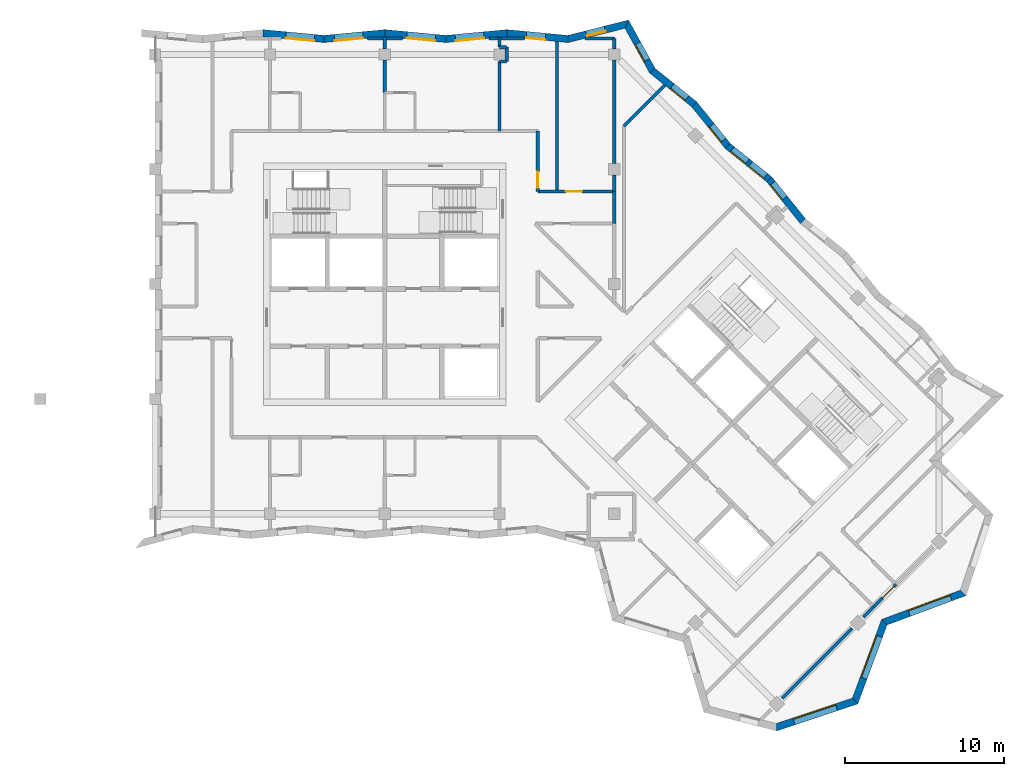
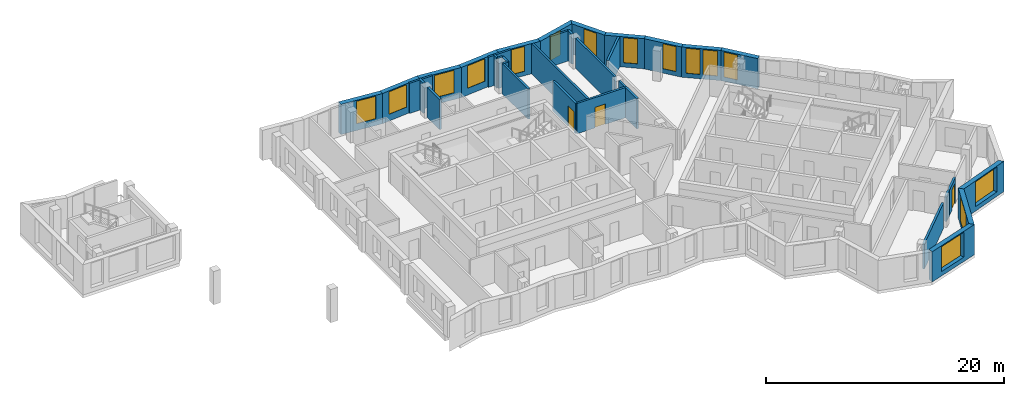
# One storey, part 6 of 12: 35 walls, 15 windows, 3 doors, 18 openings.
"""IFC4 building model written with IfcOpenShell, lengths in metres."""

from ifc_helpers import new_model, si_unit, direction, frame, frame_2d, origin, place, context, subcontext, project, spatial, polyline, rectangle, outline, extrude, material, layer, layer_set, type_object, element, fill, save


model = new_model("IFC4")

# Units and contexts
model_context = context("Model", 3, precision=1e-05, world=origin(), true_north=direction((0.0, 1.0)))
body_context = subcontext(model_context, "Body", "Model", "MODEL_VIEW")
ifc_project = project(units=[si_unit("LENGTHUNIT", "METRE"), si_unit("AREAUNIT", "SQUARE_METRE"), si_unit("VOLUMEUNIT", "CUBIC_METRE"), si_unit("PLANEANGLEUNIT", "RADIAN"), si_unit("MASSUNIT", "GRAM", prefix="KILO")], contexts=[model_context])

# Site, building, storey
site_placement = place(None, origin())
site = spatial("IfcSite", under=ifc_project, at=site_placement, CompositionType="ELEMENT")
building_placement = place(site_placement, origin())
building = spatial("IfcBuilding", under=site, at=building_placement, Name="Windrow Commons", CompositionType="ELEMENT")
storey_placement = place(building_placement, frame((0.0, 0.0, 250.6)))
storey = spatial("IfcBuildingStorey", under=building, at=storey_placement, Name="L68", CompositionType="ELEMENT", Elevation=250.6)

# Wall, opening, window
ifc_material_1 = material(Name="Brick masonry, red clay brick", Category="masonry")
ifc_layer_1 = layer(ifc_material_1, 0.45)
ifc_layer_set_1 = layer_set([ifc_layer_1], Name="Brick facade wall 450")
wall_type_1 = type_object("IfcWallType", Name="Brick facade wall 450", PredefinedType="SOLIDWALL", material=ifc_layer_set_1)
wall_1_placement = place(storey_placement, frame((89.374, 29.808, 0.0), z_axis=(0.0, 0.0, 1.0), x_axis=(0.9486852239, 0.3162219885, 0.0)))
wall_1 = element("IfcWall", 1, at=wall_1_placement, inside=storey, type_object=wall_type_1, Name="Brick facade wall L68 1", PredefinedType="SOLIDWALL", context=body_context, shape_type="SweptSolid", body=[
    extrude(outline(polyline([(-0.0662, -0.225), (5.3003, -0.225), (5.0848, 0.225), (0.0662, 0.225), (-0.0662, -0.225)])), origin(), (0.0, 0.0, 1.0), 3.1),
])
opening_1_placement = place(wall_1_placement, frame((1.1572, 0.0, 0.45)))
opening_1 = element("IfcOpeningElement", 2, at=opening_1_placement, cuts=wall_1, Name="Opening W1V", PredefinedType="OPENING", context=body_context, shape_type="SweptSolid", body=[
    extrude(rectangle(XDim=2.8, YDim=2.55, at=frame_2d((1.4, 1.275))), frame((0.0, 0.235, 0.0), z_axis=(0.0, -1.0, 0.0), x_axis=(1.0, 0.0, 0.0)), (0.0, 0.0, 1.0), 0.47),
])
ifc_material_2 = material(Name="Clear float glass in anodised aluminium frame", Category="aluminium")
window_type_1 = type_object("IfcWindowType", Name="Window W1V bedroom 2800x2550", PartitioningType="SINGLE_PANEL", PredefinedType="WINDOW", material=ifc_material_2)
window_1_placement = place(opening_1_placement, origin())
window_1 = element("IfcWindow", 3, at=window_1_placement, inside=storey, type_object=window_type_1, Name="Window L68 1.1", OverallHeight=2.55, OverallWidth=2.8, PartitioningType="SINGLE_PANEL", PredefinedType="WINDOW", context=body_context, shape_type="SweptSolid", body=[
    extrude(rectangle(XDim=2.8, YDim=2.55, at=frame_2d((1.4, 1.275))), frame((0.0, 0.205, 0.0), z_axis=(0.0, -1.0, 0.0), x_axis=(1.0, 0.0, 0.0)), (0.0, 0.0, 1.0), 0.06),
])
fill(opening_1, window_1)

wall_2_placement = place(storey_placement, frame((94.3001, 31.45, 0.0), z_axis=(0.0, 0.0, 1.0), x_axis=(0.3481927166, 0.9374229739, 0.0)))
wall_2 = element("IfcWall", 4, at=wall_2_placement, inside=storey, type_object=wall_type_1, Name="Brick facade wall L68 2", PredefinedType="SOLIDWALL", context=body_context, shape_type="SweptSolid", body=[
    extrude(outline(polyline([(-0.1078, -0.225), (5.1724, -0.225), (5.3786, 0.225), (0.1078, 0.225), (-0.1078, -0.225)])), origin(), (0.0, 0.0, 1.0), 3.1),
])
opening_2_placement = place(wall_2_placement, frame((1.5336, 0.0, 0.45)))
opening_2 = element("IfcOpeningElement", 5, at=opening_2_placement, cuts=wall_2, Name="Opening W1V", PredefinedType="OPENING", context=body_context, shape_type="SweptSolid", body=[
    extrude(rectangle(XDim=2.8, YDim=2.55, at=frame_2d((1.4, 1.275))), frame((0.0, 0.235, 0.0), z_axis=(0.0, -1.0, 0.0), x_axis=(1.0, 0.0, 0.0)), (0.0, 0.0, 1.0), 0.47),
])
window_2_placement = place(opening_2_placement, origin())
window_2 = element("IfcWindow", 6, at=window_2_placement, inside=storey, type_object=window_type_1, Name="Window L68 2.1", OverallHeight=2.55, OverallWidth=2.8, PartitioningType="SINGLE_PANEL", PredefinedType="WINDOW", context=body_context, shape_type="SweptSolid", body=[
    extrude(rectangle(XDim=2.8, YDim=2.55, at=frame_2d((1.4, 1.275))), frame((0.0, 0.205, 0.0), z_axis=(0.0, -1.0, 0.0), x_axis=(1.0, 0.0, 0.0)), (0.0, 0.0, 1.0), 0.06),
])
fill(opening_2, window_2)

wall_3_placement = place(storey_placement, frame((96.137, 36.3954, 0.0), z_axis=(0.0, 0.0, 1.0), x_axis=(0.937429161, 0.3481760591, 0.0)))
wall_3 = element("IfcWall", 7, at=wall_3_placement, inside=storey, type_object=wall_type_1, Name="Brick facade wall L68 3", PredefinedType="SOLIDWALL", context=body_context, shape_type="SweptSolid", body=[
    extrude(outline(polyline([(0.1031, -0.225), (5.3833, -0.225), (5.1677, 0.225), (-0.1031, 0.225), (0.1031, -0.225)])), origin(), (0.0, 0.0, 1.0), 3.1),
])
opening_3_placement = place(wall_3_placement, frame((1.6509, 0.0, 0.45)))
opening_3 = element("IfcOpeningElement", 8, at=opening_3_placement, cuts=wall_3, Name="Opening W1V", PredefinedType="OPENING", context=body_context, shape_type="SweptSolid", body=[
    extrude(rectangle(XDim=2.8, YDim=2.55, at=frame_2d((1.4, 1.275))), frame((0.0, 0.235, 0.0), z_axis=(0.0, -1.0, 0.0), x_axis=(1.0, 0.0, 0.0)), (0.0, 0.0, 1.0), 0.47),
])
window_3_placement = place(opening_3_placement, origin())
window_3 = element("IfcWindow", 9, at=window_3_placement, inside=storey, type_object=window_type_1, Name="Window L68 3.1", OverallHeight=2.55, OverallWidth=2.8, PartitioningType="SINGLE_PANEL", PredefinedType="WINDOW", context=body_context, shape_type="SweptSolid", body=[
    extrude(rectangle(XDim=2.8, YDim=2.55, at=frame_2d((1.4, 1.275))), frame((0.0, 0.205, 0.0), z_axis=(0.0, -1.0, 0.0), x_axis=(1.0, 0.0, 0.0)), (0.0, 0.0, 1.0), 0.06),
])
fill(opening_3, window_3)

wall_4_placement = place(storey_placement, frame((91.0272, 61.5499, 0.0), z_axis=(0.0, 0.0, 1.0), x_axis=(-0.6267866278, 0.7791909414, 0.0)))
wall_4 = element("IfcWall", 10, at=wall_4_placement, inside=storey, type_object=wall_type_1, Name="Brick facade wall L68 12", PredefinedType="SOLIDWALL", context=body_context, shape_type="SweptSolid", body=[
    extrude(outline(polyline([(0.0244, -0.225), (3.3734, -0.225), (3.3246, 0.225), (-0.0244, 0.225), (0.0244, -0.225)])), origin(), (0.0, 0.0, 1.0), 3.1),
])
opening_4_placement = place(wall_4_placement, frame((1.8425, 0.0, 0.45)))
opening_4 = element("IfcOpeningElement", 11, at=opening_4_placement, cuts=wall_4, Name="Opening W7F", PredefinedType="OPENING", context=body_context, shape_type="SweptSolid", body=[
    extrude(rectangle(XDim=1.2, YDim=2.55, at=frame_2d((0.6, 1.275))), frame((0.0, 0.235, 0.0), z_axis=(0.0, -1.0, 0.0), x_axis=(1.0, 0.0, 0.0)), (0.0, 0.0, 1.0), 0.47),
])
ifc_material_3 = material(Name="Clear float glass in anodised aluminium frame", Category="aluminium")
window_type_2 = type_object("IfcWindowType", Name="Window W7 notch 1200x2550", PartitioningType="SINGLE_PANEL", PredefinedType="WINDOW", material=ifc_material_3)
window_4_placement = place(opening_4_placement, origin())
window_4 = element("IfcWindow", 12, at=window_4_placement, inside=storey, type_object=window_type_2, Name="Window L68 12.1", OverallHeight=2.55, OverallWidth=1.2, PartitioningType="SINGLE_PANEL", PredefinedType="WINDOW", context=body_context, shape_type="SweptSolid", body=[
    extrude(rectangle(XDim=1.2, YDim=2.55, at=frame_2d((0.6, 1.275))), frame((0.0, 0.205, 0.0), z_axis=(0.0, -1.0, 0.0), x_axis=(1.0, 0.0, 0.0)), (0.0, 0.0, 1.0), 0.06),
])
fill(opening_4, window_4)

# Wall, openings, windows
wall_5_placement = place(storey_placement, frame((88.9281, 64.1594, 0.0), z_axis=(0.0, 0.0, 1.0), x_axis=(-0.7792026718, 0.6267720449, 0.0)))
wall_5 = element("IfcWall", 13, at=wall_5_placement, inside=storey, type_object=wall_type_1, Name="Brick facade wall L68 13", PredefinedType="SOLIDWALL", context=body_context, shape_type="SweptSolid", body=[
    extrude(outline(polyline([(-0.0244, -0.225), (3.3246, -0.225), (3.3734, 0.225), (0.0244, 0.225), (-0.0244, -0.225)])), origin(), (0.0, 0.0, 1.0), 3.1),
])
opening_5_placement = place(wall_5_placement, frame((0.3284, 0.0, 0.45)))
opening_5 = element("IfcOpeningElement", 14, at=opening_5_placement, cuts=wall_5, Name="Opening W7F", PredefinedType="OPENING", context=body_context, shape_type="SweptSolid", body=[
    extrude(rectangle(XDim=1.2, YDim=2.55, at=frame_2d((0.6, 1.275))), frame((0.0, 0.235, 0.0), z_axis=(0.0, -1.0, 0.0), x_axis=(1.0, 0.0, 0.0)), (0.0, 0.0, 1.0), 0.47),
])
opening_6_placement = place(wall_5_placement, frame((1.7907, 0.0, 0.45)))
opening_6 = element("IfcOpeningElement", 15, at=opening_6_placement, cuts=wall_5, Name="Opening W7F", PredefinedType="OPENING", context=body_context, shape_type="SweptSolid", body=[
    extrude(rectangle(XDim=1.2, YDim=2.55, at=frame_2d((0.6, 1.275))), frame((0.0, 0.235, 0.0), z_axis=(0.0, -1.0, 0.0), x_axis=(1.0, 0.0, 0.0)), (0.0, 0.0, 1.0), 0.47),
])
window_5_placement = place(opening_5_placement, origin())
window_5 = element("IfcWindow", 16, at=window_5_placement, inside=storey, type_object=window_type_2, Name="Window L68 13.1", OverallHeight=2.55, OverallWidth=1.2, PartitioningType="SINGLE_PANEL", PredefinedType="WINDOW", context=body_context, shape_type="SweptSolid", body=[
    extrude(rectangle(XDim=1.2, YDim=2.55, at=frame_2d((0.6, 1.275))), frame((0.0, 0.205, 0.0), z_axis=(0.0, -1.0, 0.0), x_axis=(1.0, 0.0, 0.0)), (0.0, 0.0, 1.0), 0.06),
])
fill(opening_5, window_5)
window_6_placement = place(opening_6_placement, origin())
window_6 = element("IfcWindow", 17, at=window_6_placement, inside=storey, type_object=window_type_2, Name="Window L68 13.2", OverallHeight=2.55, OverallWidth=1.2, PartitioningType="SINGLE_PANEL", PredefinedType="WINDOW", context=body_context, shape_type="SweptSolid", body=[
    extrude(rectangle(XDim=1.2, YDim=2.55, at=frame_2d((0.6, 1.275))), frame((0.0, 0.205, 0.0), z_axis=(0.0, -1.0, 0.0), x_axis=(1.0, 0.0, 0.0)), (0.0, 0.0, 1.0), 0.06),
])
fill(opening_6, window_6)

# Wall, opening, window
wall_6_placement = place(storey_placement, frame((86.3185, 66.2585, 0.0), z_axis=(0.0, 0.0, 1.0), x_axis=(-0.6267539152, 0.7792172545, 0.0)))
wall_6 = element("IfcWall", 18, at=wall_6_placement, inside=storey, type_object=wall_type_1, Name="Brick facade wall L68 14", PredefinedType="SOLIDWALL", context=body_context, shape_type="SweptSolid", body=[
    extrude(outline(polyline([(0.0244, -0.225), (3.3734, -0.225), (3.3246, 0.225), (-0.0244, 0.225), (0.0244, -0.225)])), origin(), (0.0, 0.0, 1.0), 3.1),
])
opening_7_placement = place(wall_6_placement, frame((0.4523, 0.0, 0.45)))
opening_7 = element("IfcOpeningElement", 19, at=opening_7_placement, cuts=wall_6, Name="Opening W7F", PredefinedType="OPENING", context=body_context, shape_type="SweptSolid", body=[
    extrude(rectangle(XDim=1.2, YDim=2.55, at=frame_2d((0.6, 1.275))), frame((0.0, 0.235, 0.0), z_axis=(0.0, -1.0, 0.0), x_axis=(1.0, 0.0, 0.0)), (0.0, 0.0, 1.0), 0.47),
])
window_7_placement = place(opening_7_placement, origin())
window_7 = element("IfcWindow", 20, at=window_7_placement, inside=storey, type_object=window_type_2, Name="Window L68 14.1", OverallHeight=2.55, OverallWidth=1.2, PartitioningType="SINGLE_PANEL", PredefinedType="WINDOW", context=body_context, shape_type="SweptSolid", body=[
    extrude(rectangle(XDim=1.2, YDim=2.55, at=frame_2d((0.6, 1.275))), frame((0.0, 0.205, 0.0), z_axis=(0.0, -1.0, 0.0), x_axis=(1.0, 0.0, 0.0)), (0.0, 0.0, 1.0), 0.06),
])
fill(opening_7, window_7)

wall_7_placement = place(storey_placement, frame((84.2195, 68.8681, 0.0), z_axis=(0.0, 0.0, 1.0), x_axis=(-0.7792125049, 0.6267598202, 0.0)))
wall_7 = element("IfcWall", 21, at=wall_7_placement, inside=storey, type_object=wall_type_1, Name="Brick facade wall L68 15", PredefinedType="SOLIDWALL", context=body_context, shape_type="SweptSolid", body=[
    extrude(outline(polyline([(-0.0244, -0.225), (3.3246, -0.225), (3.4133, 0.225), (0.0244, 0.225), (-0.0244, -0.225)])), origin(), (0.0, 0.0, 1.0), 3.1),
])
opening_8_placement = place(wall_7_placement, frame((0.6005, 0.0, 0.45)))
opening_8 = element("IfcOpeningElement", 22, at=opening_8_placement, cuts=wall_7, Name="Opening W7F", PredefinedType="OPENING", context=body_context, shape_type="SweptSolid", body=[
    extrude(rectangle(XDim=1.2, YDim=2.55, at=frame_2d((0.6, 1.275))), frame((0.0, 0.235, 0.0), z_axis=(0.0, -1.0, 0.0), x_axis=(1.0, 0.0, 0.0)), (0.0, 0.0, 1.0), 0.47),
])
window_8_placement = place(opening_8_placement, origin())
window_8 = element("IfcWindow", 23, at=window_8_placement, inside=storey, type_object=window_type_2, Name="Window L68 15.1", OverallHeight=2.55, OverallWidth=1.2, PartitioningType="SINGLE_PANEL", PredefinedType="WINDOW", context=body_context, shape_type="SweptSolid", body=[
    extrude(rectangle(XDim=1.2, YDim=2.55, at=frame_2d((0.6, 1.275))), frame((0.0, 0.205, 0.0), z_axis=(0.0, -1.0, 0.0), x_axis=(1.0, 0.0, 0.0)), (0.0, 0.0, 1.0), 0.06),
])
fill(opening_8, window_8)

wall_8_placement = place(storey_placement, frame((81.5944, 70.9796, 0.0), z_axis=(0.0, 0.0, 1.0), x_axis=(-0.4832770015, 0.8754674979, 0.0)))
wall_8 = element("IfcWall", 24, at=wall_8_placement, inside=storey, type_object=wall_type_1, Name="Brick facade wall L68 16", PredefinedType="SOLIDWALL", context=body_context, shape_type="SweptSolid", body=[
    extrude(outline(polyline([(0.0443, -0.225), (3.5097, -0.225), (3.163, 0.225), (-0.0443, 0.225), (0.0443, -0.225)])), origin(), (0.0, 0.0, 1.0), 3.1),
])
opening_9_placement = place(wall_8_placement, frame((0.7566, 0.0, 0.45)))
opening_9 = element("IfcOpeningElement", 25, at=opening_9_placement, cuts=wall_8, Name="Opening W7F", PredefinedType="OPENING", context=body_context, shape_type="SweptSolid", body=[
    extrude(rectangle(XDim=1.2, YDim=2.55, at=frame_2d((0.6, 1.275))), frame((0.0, 0.235, 0.0), z_axis=(0.0, -1.0, 0.0), x_axis=(1.0, 0.0, 0.0)), (0.0, 0.0, 1.0), 0.47),
])
window_9_placement = place(opening_9_placement, origin())
window_9 = element("IfcWindow", 26, at=window_9_placement, inside=storey, type_object=window_type_2, Name="Window L68 16.1", OverallHeight=2.55, OverallWidth=1.2, PartitioningType="SINGLE_PANEL", PredefinedType="WINDOW", context=body_context, shape_type="SweptSolid", body=[
    extrude(rectangle(XDim=1.2, YDim=2.55, at=frame_2d((0.6, 1.275))), frame((0.0, 0.205, 0.0), z_axis=(0.0, -1.0, 0.0), x_axis=(1.0, 0.0, 0.0)), (0.0, 0.0, 1.0), 0.06),
])
fill(opening_9, window_9)

wall_9_placement = place(storey_placement, frame((79.982, 73.9005, 0.0), z_axis=(0.0, 0.0, 1.0), x_axis=(-0.9697607809, -0.2440574274, 0.0)))
wall_9 = element("IfcWall", 27, at=wall_9_placement, inside=storey, type_object=wall_type_1, Name="Brick facade wall L68 17", PredefinedType="SOLIDWALL", context=body_context, shape_type="SweptSolid", body=[
    extrude(outline(polyline([(-0.1734, -0.225), (3.764, -0.225), (3.8415, 0.225), (0.1734, 0.225), (-0.1734, -0.225)])), origin(), (0.0, 0.0, 1.0), 3.1),
])
opening_10_placement = place(wall_9_placement, frame((1.4045, 0.0, 0.45)))
opening_10 = element("IfcOpeningElement", 28, at=opening_10_placement, cuts=wall_9, Name="Opening W7F", PredefinedType="OPENING", context=body_context, shape_type="SweptSolid", body=[
    extrude(rectangle(XDim=1.2, YDim=2.55, at=frame_2d((0.6, 1.275))), frame((0.0, 0.235, 0.0), z_axis=(0.0, -1.0, 0.0), x_axis=(1.0, 0.0, 0.0)), (0.0, 0.0, 1.0), 0.47),
])
window_10_placement = place(opening_10_placement, origin())
window_10 = element("IfcWindow", 29, at=window_10_placement, inside=storey, type_object=window_type_2, Name="Window L68 17.1", OverallHeight=2.55, OverallWidth=1.2, PartitioningType="SINGLE_PANEL", PredefinedType="WINDOW", context=body_context, shape_type="SweptSolid", body=[
    extrude(rectangle(XDim=1.2, YDim=2.55, at=frame_2d((0.6, 1.275))), frame((0.0, 0.135, 0.0), z_axis=(0.0, -1.0, 0.0), x_axis=(1.0, 0.0, 0.0)), (0.0, 0.0, 1.0), 0.06),
])
fill(opening_10, window_10)

wall_10_placement = place(storey_placement, frame((76.2942, 72.9724, 0.0), z_axis=(0.0, 0.0, 1.0), x_axis=(-0.9955612581, 0.0941157869, 0.0)))
wall_10 = element("IfcWall", 30, at=wall_10_placement, inside=storey, type_object=wall_type_1, Name="Brick facade wall L68 18", PredefinedType="SOLIDWALL", context=body_context, shape_type="SweptSolid", body=[
    extrude(outline(polyline([(0.0387, -0.225), (3.874, -0.225), (3.8315, 0.225), (-0.0387, 0.225), (0.0387, -0.225)])), origin(), (0.0, 0.0, 1.0), 3.1),
])
opening_11_placement = place(wall_10_placement, frame((1.4144, 0.0, 0.45)))
opening_11 = element("IfcOpeningElement", 31, at=opening_11_placement, cuts=wall_10, Name="Opening W7F", PredefinedType="OPENING", context=body_context, shape_type="SweptSolid", body=[
    extrude(rectangle(XDim=1.2, YDim=2.55, at=frame_2d((0.6, 1.275))), frame((0.0, 0.235, 0.0), z_axis=(0.0, -1.0, 0.0), x_axis=(1.0, 0.0, 0.0)), (0.0, 0.0, 1.0), 0.47),
])
window_11_placement = place(opening_11_placement, origin())
window_11 = element("IfcWindow", 32, at=window_11_placement, inside=storey, type_object=window_type_2, Name="Window L68 18.1", OverallHeight=2.55, OverallWidth=1.2, PartitioningType="SINGLE_PANEL", PredefinedType="WINDOW", context=body_context, shape_type="SweptSolid", body=[
    extrude(rectangle(XDim=1.2, YDim=2.55, at=frame_2d((0.6, 1.275))), frame((0.0, 0.205, 0.0), z_axis=(0.0, -1.0, 0.0), x_axis=(1.0, 0.0, 0.0)), (0.0, 0.0, 1.0), 0.06),
])
fill(opening_11, window_11)

wall_11_placement = place(storey_placement, frame((72.4586, 73.335, 0.0), z_axis=(0.0, 0.0, 1.0), x_axis=(-0.9955603917, -0.0941249513, 0.0)))
wall_11 = element("IfcWall", 33, at=wall_11_placement, inside=storey, type_object=wall_type_1, Name="Brick facade wall L68 19", PredefinedType="SOLIDWALL", context=body_context, shape_type="SweptSolid", body=[
    extrude(outline(polyline([(-0.0213, -0.225), (3.8141, -0.225), (3.8566, 0.225), (0.0213, 0.225), (-0.0213, -0.225)])), origin(), (0.0, 0.0, 1.0), 3.1),
])
opening_12_placement = place(wall_11_placement, frame((1.4387, 0.0, 0.7)))
opening_12 = element("IfcOpeningElement", 34, at=opening_12_placement, cuts=wall_11, Name="Opening W1C", PredefinedType="OPENING", context=body_context, shape_type="SweptSolid", body=[
    extrude(rectangle(XDim=1.8, YDim=2.3, at=frame_2d((0.9, 1.15))), frame((0.0, 0.235, 0.0), z_axis=(0.0, -1.0, 0.0), x_axis=(1.0, 0.0, 0.0)), (0.0, 0.0, 1.0), 0.47),
])
ifc_material_4 = material(Name="Clear float glass in anodised aluminium frame", Category="aluminium")
window_type_3 = type_object("IfcWindowType", Name="Window W1 bedroom 1800x2300", PartitioningType="SINGLE_PANEL", PredefinedType="WINDOW", material=ifc_material_4)
window_12_placement = place(opening_12_placement, origin())
window_12 = element("IfcWindow", 35, at=window_12_placement, inside=storey, type_object=window_type_3, Name="Window L68 19.1A", OverallHeight=2.3, OverallWidth=1.8, PartitioningType="SINGLE_PANEL", PredefinedType="WINDOW", context=body_context, shape_type="SweptSolid", body=[
    extrude(rectangle(XDim=1.8, YDim=2.3, at=frame_2d((0.9, 1.15))), frame((0.0, 0.205, 0.0), z_axis=(0.0, -1.0, 0.0), x_axis=(1.0, 0.0, 0.0)), (0.0, 0.0, 1.0), 0.06),
])
fill(opening_12, window_12)

wall_12_placement = place(storey_placement, frame((68.6403, 72.974, 0.0), z_axis=(0.0, 0.0, 1.0), x_axis=(-0.9955603917, 0.0941249513, 0.0)))
wall_12 = element("IfcWall", 36, at=wall_12_placement, inside=storey, type_object=wall_type_1, Name="Brick facade wall L68 20", PredefinedType="SOLIDWALL", context=body_context, shape_type="SweptSolid", body=[
    extrude(outline(polyline([(0.0213, -0.225), (3.8566, -0.225), (3.8141, 0.225), (-0.0213, 0.225), (0.0213, -0.225)])), origin(), (0.0, 0.0, 1.0), 3.1),
])
opening_13_placement = place(wall_12_placement, frame((0.6564, 0.0, 0.7)))
opening_13 = element("IfcOpeningElement", 37, at=opening_13_placement, cuts=wall_12, Name="Opening W1C", PredefinedType="OPENING", context=body_context, shape_type="SweptSolid", body=[
    extrude(rectangle(XDim=1.8, YDim=2.3, at=frame_2d((0.9, 1.15))), frame((0.0, 0.235, 0.0), z_axis=(0.0, -1.0, 0.0), x_axis=(1.0, 0.0, 0.0)), (0.0, 0.0, 1.0), 0.47),
])
window_13_placement = place(opening_13_placement, origin())
window_13 = element("IfcWindow", 38, at=window_13_placement, inside=storey, type_object=window_type_3, Name="Window L68 20.1A", OverallHeight=2.3, OverallWidth=1.8, PartitioningType="SINGLE_PANEL", PredefinedType="WINDOW", context=body_context, shape_type="SweptSolid", body=[
    extrude(rectangle(XDim=1.8, YDim=2.3, at=frame_2d((0.9, 1.15))), frame((0.0, 0.205, 0.0), z_axis=(0.0, -1.0, 0.0), x_axis=(1.0, 0.0, 0.0)), (0.0, 0.0, 1.0), 0.06),
])
fill(opening_13, window_13)

wall_13_placement = place(storey_placement, frame((64.822, 73.335, 0.0), z_axis=(0.0, 0.0, 1.0), x_axis=(-0.9955603917, -0.0941249513, 0.0)))
wall_13 = element("IfcWall", 39, at=wall_13_placement, inside=storey, type_object=wall_type_1, Name="Brick facade wall L68 21", PredefinedType="SOLIDWALL", context=body_context, shape_type="SweptSolid", body=[
    extrude(outline(polyline([(-0.0213, -0.225), (3.8141, -0.225), (3.8566, 0.225), (0.0213, 0.225), (-0.0213, -0.225)])), origin(), (0.0, 0.0, 1.0), 3.1),
])
opening_14_placement = place(wall_13_placement, frame((1.3789, 0.0, 0.7)))
opening_14 = element("IfcOpeningElement", 40, at=opening_14_placement, cuts=wall_13, Name="Opening W1C", PredefinedType="OPENING", context=body_context, shape_type="SweptSolid", body=[
    extrude(rectangle(XDim=1.8, YDim=2.3, at=frame_2d((0.9, 1.15))), frame((0.0, 0.235, 0.0), z_axis=(0.0, -1.0, 0.0), x_axis=(1.0, 0.0, 0.0)), (0.0, 0.0, 1.0), 0.47),
])
window_14_placement = place(opening_14_placement, origin())
window_14 = element("IfcWindow", 41, at=window_14_placement, inside=storey, type_object=window_type_3, Name="Window L68 21.1A", OverallHeight=2.3, OverallWidth=1.8, PartitioningType="SINGLE_PANEL", PredefinedType="WINDOW", context=body_context, shape_type="SweptSolid", body=[
    extrude(rectangle(XDim=1.8, YDim=2.3, at=frame_2d((0.9, 1.15))), frame((0.0, 0.205, 0.0), z_axis=(0.0, -1.0, 0.0), x_axis=(1.0, 0.0, 0.0)), (0.0, 0.0, 1.0), 0.06),
])
fill(opening_14, window_14)

wall_14_placement = place(storey_placement, frame((61.0037, 72.974, 0.0), z_axis=(0.0, 0.0, 1.0), x_axis=(-0.9955603917, 0.0941249513, 0.0)))
wall_14 = element("IfcWall", 42, at=wall_14_placement, inside=storey, type_object=wall_type_1, Name="Brick facade wall L68 22", PredefinedType="SOLIDWALL", context=body_context, shape_type="SweptSolid", body=[
    extrude(outline(polyline([(0.0213, -0.225), (3.8566, -0.225), (3.8141, 0.225), (-0.0213, 0.225), (0.0213, -0.225)])), origin(), (0.0, 0.0, 1.0), 3.1),
])
opening_15_placement = place(wall_14_placement, frame((0.6076, 0.0, 0.7)))
opening_15 = element("IfcOpeningElement", 43, at=opening_15_placement, cuts=wall_14, Name="Opening W1C", PredefinedType="OPENING", context=body_context, shape_type="SweptSolid", body=[
    extrude(rectangle(XDim=1.8, YDim=2.3, at=frame_2d((0.9, 1.15))), frame((0.0, 0.235, 0.0), z_axis=(0.0, -1.0, 0.0), x_axis=(1.0, 0.0, 0.0)), (0.0, 0.0, 1.0), 0.47),
])
window_15_placement = place(opening_15_placement, origin())
window_15 = element("IfcWindow", 44, at=window_15_placement, inside=storey, type_object=window_type_3, Name="Window L68 22.1A", OverallHeight=2.3, OverallWidth=1.8, PartitioningType="SINGLE_PANEL", PredefinedType="WINDOW", context=body_context, shape_type="SweptSolid", body=[
    extrude(rectangle(XDim=1.8, YDim=2.3, at=frame_2d((0.9, 1.15))), frame((0.0, 0.205, 0.0), z_axis=(0.0, -1.0, 0.0), x_axis=(1.0, 0.0, 0.0)), (0.0, 0.0, 1.0), 0.06),
])
fill(opening_15, window_15)

# Wall, opening, door
ifc_material_5 = material(Name="Blockwork partition", Category="masonry")
ifc_layer_2 = layer(ifc_material_5, 0.2)
ifc_layer_set_2 = layer_set([ifc_layer_2], Name="IW-CORRIDOR-200")
wall_type_2 = type_object("IfcWallType", Name="IW-CORRIDOR-200", PredefinedType="PARTITIONING", material=ifc_layer_set_2)
wall_15_placement = place(storey_placement, frame((74.402, 63.4, 0.0), z_axis=(0.0, 0.0, 1.0), x_axis=(1.0, 0.0, 0.0)))
wall_15 = element("IfcWall", 45, at=wall_15_placement, inside=storey, type_object=wall_type_2, Name="W-L68-W022", PredefinedType="PARTITIONING", context=body_context, shape_type="SweptSolid", body=[
    extrude(rectangle(XDim=4.798, YDim=0.2, at=frame_2d((2.399, 0.0))), origin(), (0.0, 0.0, 1.0), 3.1),
])
opening_16_placement = place(wall_15_placement, frame((1.7655, 0.0, 0.0)))
opening_16 = element("IfcOpeningElement", 46, at=opening_16_placement, cuts=wall_15, Name="Opening D310F", PredefinedType="OPENING", context=body_context, shape_type="SweptSolid", body=[
    extrude(rectangle(XDim=1.0, YDim=2.1, at=frame_2d((0.5, 1.05))), frame((0.0, 0.11, 0.0), z_axis=(0.0, -1.0, 0.0), x_axis=(1.0, 0.0, 0.0)), (0.0, 0.0, 1.0), 0.22),
])
ifc_material_6 = material(Name="Timber door leaf", Category="wood")
door_type = type_object("IfcDoorType", Name="DT-AMENITY-1000", OperationType="SINGLE_SWING_LEFT", PredefinedType="DOOR", material=ifc_material_6)
door_1_placement = place(opening_16_placement, origin())
door_1 = element("IfcDoor", 47, at=door_1_placement, inside=storey, type_object=door_type, Name="D-L68-D012", OperationType="SINGLE_SWING_LEFT", OverallHeight=2.1, OverallWidth=1.0, PredefinedType="DOOR", context=body_context, shape_type="SweptSolid", body=[
    extrude(rectangle(XDim=1.0, YDim=2.1, at=frame_2d((0.5, 1.05))), frame((0.0, 0.025, 0.0), z_axis=(0.0, -1.0, 0.0), x_axis=(1.0, 0.0, 0.0)), (0.0, 0.0, 1.0), 0.05),
])
fill(opening_16, door_1)

wall_16_placement = place(storey_placement, frame((74.4, 63.402, 0.0), z_axis=(0.0, 0.0, 1.0), x_axis=(0.0, 1.0, 0.0)))
wall_16 = element("IfcWall", 48, at=wall_16_placement, inside=storey, type_object=wall_type_2, Name="W-L68-W034", PredefinedType="PARTITIONING", context=body_context, shape_type="SweptSolid", body=[
    extrude(rectangle(XDim=3.798, YDim=0.2, at=frame_2d((1.899, 0.0))), origin(), (0.0, 0.0, 1.0), 3.1),
])
opening_17_placement = place(wall_16_placement, frame((0.2313, 0.0, 0.0)))
opening_17 = element("IfcOpeningElement", 49, at=opening_17_placement, cuts=wall_16, Name="Opening D310F", PredefinedType="OPENING", context=body_context, shape_type="SweptSolid", body=[
    extrude(rectangle(XDim=1.0, YDim=2.1, at=frame_2d((0.5, 1.05))), frame((0.0, 0.11, 0.0), z_axis=(0.0, -1.0, 0.0), x_axis=(1.0, 0.0, 0.0)), (0.0, 0.0, 1.0), 0.22),
])
door_2_placement = place(opening_17_placement, origin())
door_2 = element("IfcDoor", 50, at=door_2_placement, inside=storey, type_object=door_type, Name="D-L68-D011", OperationType="SINGLE_SWING_RIGHT", OverallHeight=2.1, OverallWidth=1.0, PredefinedType="DOOR", context=body_context, shape_type="SweptSolid", body=[
    extrude(rectangle(XDim=1.0, YDim=2.1, at=frame_2d((0.5, 1.05))), frame((0.0, 0.025, 0.0), z_axis=(0.0, -1.0, 0.0), x_axis=(1.0, 0.0, 0.0)), (0.0, 0.0, 1.0), 0.05),
])
fill(opening_17, door_2)

# Wall
wall_17_placement = place(storey_placement, frame((79.2, 61.4, 0.0), z_axis=(0.0, 0.0, 1.0), x_axis=(0.0, 1.0, 0.0)))
element("IfcWall", 51, at=wall_17_placement, inside=storey, type_object=wall_type_2, Name="W-L68-W070", PredefinedType="PARTITIONING", context=body_context, shape_type="SweptSolid", body=[
    extrude(rectangle(XDim=2.0, YDim=0.2, at=frame_2d((1.0, 0.0))), origin(), (0.0, 0.0, 1.0), 3.1),
])

# Wall, opening, door
wall_18_placement = place(storey_placement, frame((95.463, 37.353, 0.0), z_axis=(0.0, 0.0, 1.0), x_axis=(0.7071067812, 0.7071067812, 0.0)))
wall_18 = element("IfcWall", 52, at=wall_18_placement, inside=storey, type_object=wall_type_2, Name="W-L68-W071", PredefinedType="PARTITIONING", context=body_context, shape_type="SweptSolid", body=[
    extrude(rectangle(XDim=1.9997, YDim=0.2, at=frame_2d((0.9999, 0.0))), origin(), (0.0, 0.0, 1.0), 2.6),
])
opening_18_placement = place(wall_18_placement, frame((0.8023, 0.0, 0.0)))
opening_18 = element("IfcOpeningElement", 53, at=opening_18_placement, cuts=wall_18, Name="Opening D310F", PredefinedType="OPENING", context=body_context, shape_type="SweptSolid", body=[
    extrude(rectangle(XDim=1.0, YDim=2.1, at=frame_2d((0.5, 1.05))), frame((0.0, 0.11, 0.0), z_axis=(0.0, -1.0, 0.0), x_axis=(1.0, 0.0, 0.0)), (0.0, 0.0, 1.0), 0.22),
])
door_3_placement = place(opening_18_placement, origin())
door_3 = element("IfcDoor", 54, at=door_3_placement, inside=storey, type_object=door_type, Name="D-L68-D028", OperationType="SINGLE_SWING_RIGHT", OverallHeight=2.1, OverallWidth=1.0, PredefinedType="DOOR", context=body_context, shape_type="SweptSolid", body=[
    extrude(rectangle(XDim=1.0, YDim=2.1, at=frame_2d((0.5, 1.05))), frame((0.0, 0.025, 0.0), z_axis=(0.0, -1.0, 0.0), x_axis=(1.0, 0.0, 0.0)), (0.0, 0.0, 1.0), 0.05),
])
fill(opening_18, door_3)

# Walls
ifc_material_7 = material(Name="Blockwork partition", Category="masonry")
ifc_layer_3 = layer(ifc_material_7, 0.2)
ifc_layer_set_3 = layer_set([ifc_layer_3], Name="IW-PARTY-200")
wall_type_3 = type_object("IfcWallType", Name="IW-PARTY-200", PredefinedType="PARTITIONING", material=ifc_layer_set_3)
wall_19_placement = place(storey_placement, frame((75.6, 63.4, 0.0), z_axis=(0.0, 0.0, 1.0), x_axis=(0.0, 1.0, 0.0)))
element("IfcWall", 55, at=wall_19_placement, inside=storey, type_object=wall_type_3, Name="W-L68-W007", PredefinedType="PARTITIONING", context=body_context, shape_type="SweptSolid", body=[
    extrude(rectangle(XDim=9.412, YDim=0.2, at=frame_2d((4.706, 0.0))), origin(), (0.0, 0.0, 1.0), 3.1),
])
wall_20_placement = place(storey_placement, frame((79.2, 65.15, 0.0), z_axis=(0.0, 0.0, 1.0), x_axis=(0.0, 1.0, 0.0)))
element("IfcWall", 56, at=wall_20_placement, inside=storey, type_object=wall_type_3, Name="W-L68-W013", PredefinedType="PARTITIONING", context=body_context, shape_type="SweptSolid", body=[
    extrude(rectangle(XDim=6.5, YDim=0.2, at=frame_2d((3.25, 0.0))), origin(), (0.0, 0.0, 1.0), 3.1),
])
wall_21_placement = place(storey_placement, frame((89.731, 31.621, 0.0), z_axis=(0.0, 0.0, 1.0), x_axis=(0.7071067812, 0.7071067812, 0.0)))
element("IfcWall", 57, at=wall_21_placement, inside=storey, type_object=wall_type_3, Name="W-L68-W015", PredefinedType="PARTITIONING", context=body_context, shape_type="SweptSolid", body=[
    extrude(rectangle(XDim=6.2112, YDim=0.2, at=frame_2d((3.1056, 0.0))), origin(), (0.0, 0.0, 1.0), 2.6),
])
wall_22_placement = place(storey_placement, frame((72.0, 67.2, 0.0), z_axis=(0.0, 0.0, 1.0), x_axis=(0.0, 1.0, 0.0)))
element("IfcWall", 58, at=wall_22_placement, inside=storey, type_object=wall_type_3, Name="W-L68-W026", PredefinedType="PARTITIONING", context=body_context, shape_type="SweptSolid", body=[
    extrude(rectangle(XDim=4.346, YDim=0.2, at=frame_2d((2.173, 0.0))), origin(), (0.0, 0.0, 1.0), 3.1),
])
wall_23_placement = place(storey_placement, frame((79.7988, 67.5092, 0.0), z_axis=(0.0, 0.0, 1.0), x_axis=(0.7070929906, 0.7071205715, 0.0)))
element("IfcWall", 59, at=wall_23_placement, inside=storey, type_object=wall_type_3, Name="W-L68-W036", PredefinedType="PARTITIONING", context=body_context, shape_type="SweptSolid", body=[
    extrude(rectangle(XDim=3.6257, YDim=0.2, at=frame_2d((1.8129, 0.0))), origin(), (0.0, 0.0, 1.0), 3.1),
])
for number, where, z_axis, x_axis, name in (
    (60, (63.7191, 73.0, 0.0), (0.0, 0.0, 1.0), (1.0, 0.0, 0.0), "W-L68-W060"),
    (61, (71.3557, 73.0, 0.0), (0.0, 0.0, 1.0), (1.0, 0.0, 0.0), "W-L68-W061"),
):
    element("IfcWall", number, at=place(storey_placement, frame(where, z_axis=z_axis, x_axis=x_axis)), inside=storey, type_object=wall_type_3, Name=name, PredefinedType="PARTITIONING", context=body_context, shape_type="SweptSolid", body=[
        extrude(rectangle(XDim=2.2057, YDim=0.2, at=frame_2d((1.1029, 0.0))), origin(), (0.0, 0.0, 1.0), 3.1),
    ])
wall_24_placement = place(storey_placement, frame((64.8, 69.6, 0.0), z_axis=(0.0, 0.0, 1.0), x_axis=(0.0, 1.0, 0.0)))
element("IfcWall", 62, at=wall_24_placement, inside=storey, type_object=wall_type_3, Name="W-L68-W065", PredefinedType="PARTITIONING", context=body_context, shape_type="SweptSolid", body=[
    extrude(rectangle(XDim=2.05, YDim=0.2, at=frame_2d((1.025, 0.0))), origin(), (0.0, 0.0, 1.0), 3.1),
])
wall_25_placement = place(storey_placement, frame((77.3759, 73.0, 0.0), z_axis=(0.0, 0.0, 1.0), x_axis=(1.0, 0.0, 0.0)))
element("IfcWall", 63, at=wall_25_placement, inside=storey, type_object=wall_type_3, Name="W-L68-W077", PredefinedType="PARTITIONING", context=body_context, shape_type="SweptSolid", body=[
    extrude(rectangle(XDim=1.8241, YDim=0.2, at=frame_2d((0.9121, 0.0))), origin(), (0.0, 0.0, 1.0), 3.1),
])
wall_26_placement = place(storey_placement, frame((79.2, 63.4, 0.0), z_axis=(0.0, 0.0, 1.0), x_axis=(0.0, 1.0, 0.0)))
element("IfcWall", 64, at=wall_26_placement, inside=storey, type_object=wall_type_3, Name="W-L68-W081", PredefinedType="PARTITIONING", context=body_context, shape_type="SweptSolid", body=[
    extrude(rectangle(XDim=1.05, YDim=0.2, at=frame_2d((0.525, 0.0))), origin(), (0.0, 0.0, 1.0), 3.1),
])
wall_27_placement = place(storey_placement, frame((72.45, 71.546, 0.0), z_axis=(0.0, 0.0, 1.0), x_axis=(0.0, 1.0, 0.0)))
element("IfcWall", 65, at=wall_27_placement, inside=storey, type_object=wall_type_3, Name="W-L68-W082", PredefinedType="PARTITIONING", context=body_context, shape_type="SweptSolid", body=[
    extrude(rectangle(XDim=0.908, YDim=0.2, at=frame_2d((0.454, 0.0))), origin(), (0.0, 0.0, 1.0), 3.1),
])
wall_28_placement = place(storey_placement, frame((94.823, 36.713, 0.0), z_axis=(0.0, 0.0, 1.0), x_axis=(0.7071067812, 0.7071067812, 0.0)))
element("IfcWall", 66, at=wall_28_placement, inside=storey, type_object=wall_type_3, Name="W-L68-W083", PredefinedType="PARTITIONING", context=body_context, shape_type="SweptSolid", body=[
    extrude(rectangle(XDim=0.9051, YDim=0.2, at=frame_2d((0.4526, 0.0))), origin(), (0.0, 0.0, 1.0), 2.6),
])
wall_29_placement = place(storey_placement, frame((64.8, 72.35, 0.0), z_axis=(0.0, 0.0, 1.0), x_axis=(0.0, 1.0, 0.0)))
element("IfcWall", 67, at=wall_29_placement, inside=storey, type_object=wall_type_3, Name="W-L68-W086", PredefinedType="PARTITIONING", context=body_context, shape_type="SweptSolid", body=[
    extrude(rectangle(XDim=0.7569, YDim=0.2, at=frame_2d((0.3785, 0.0))), origin(), (0.0, 0.0, 1.0), 3.1),
])
wall_30_placement = place(storey_placement, frame((79.2, 72.35, 0.0), z_axis=(0.0, 0.0, 1.0), x_axis=(0.0, 1.0, 0.0)))
element("IfcWall", 68, at=wall_30_placement, inside=storey, type_object=wall_type_3, Name="W-L68-W091", PredefinedType="PARTITIONING", context=body_context, shape_type="SweptSolid", body=[
    extrude(rectangle(XDim=0.65, YDim=0.2, at=frame_2d((0.325, 0.0))), origin(), (0.0, 0.0, 1.0), 3.1),
])
wall_31_placement = place(storey_placement, frame((72.0, 72.454, 0.0), z_axis=(0.0, 0.0, 1.0), x_axis=(0.0, 1.0, 0.0)))
element("IfcWall", 69, at=wall_31_placement, inside=storey, type_object=wall_type_3, Name="W-L68-W095", PredefinedType="PARTITIONING", context=body_context, shape_type="SweptSolid", body=[
    extrude(rectangle(XDim=0.6116, YDim=0.2, at=frame_2d((0.3058, 0.0))), origin(), (0.0, 0.0, 1.0), 3.1),
])
for number, where, z_axis, x_axis, name in (
    (70, (72.0, 71.55, 0.0), (0.0, 0.0, 1.0), (1.0, 0.0, 0.0), "W-L68-W099"),
    (71, (72.0, 72.45, 0.0), (0.0, 0.0, 1.0), (1.0, 0.0, 0.0), "W-L68-W100"),
):
    element("IfcWall", number, at=place(storey_placement, frame(where, z_axis=z_axis, x_axis=x_axis)), inside=storey, type_object=wall_type_3, Name=name, PredefinedType="PARTITIONING", context=body_context, shape_type="SweptSolid", body=[
        extrude(rectangle(XDim=0.45, YDim=0.2, at=frame_2d((0.225, 0.0))), origin(), (0.0, 0.0, 1.0), 3.1),
    ])

save(model, "model.ifc")
